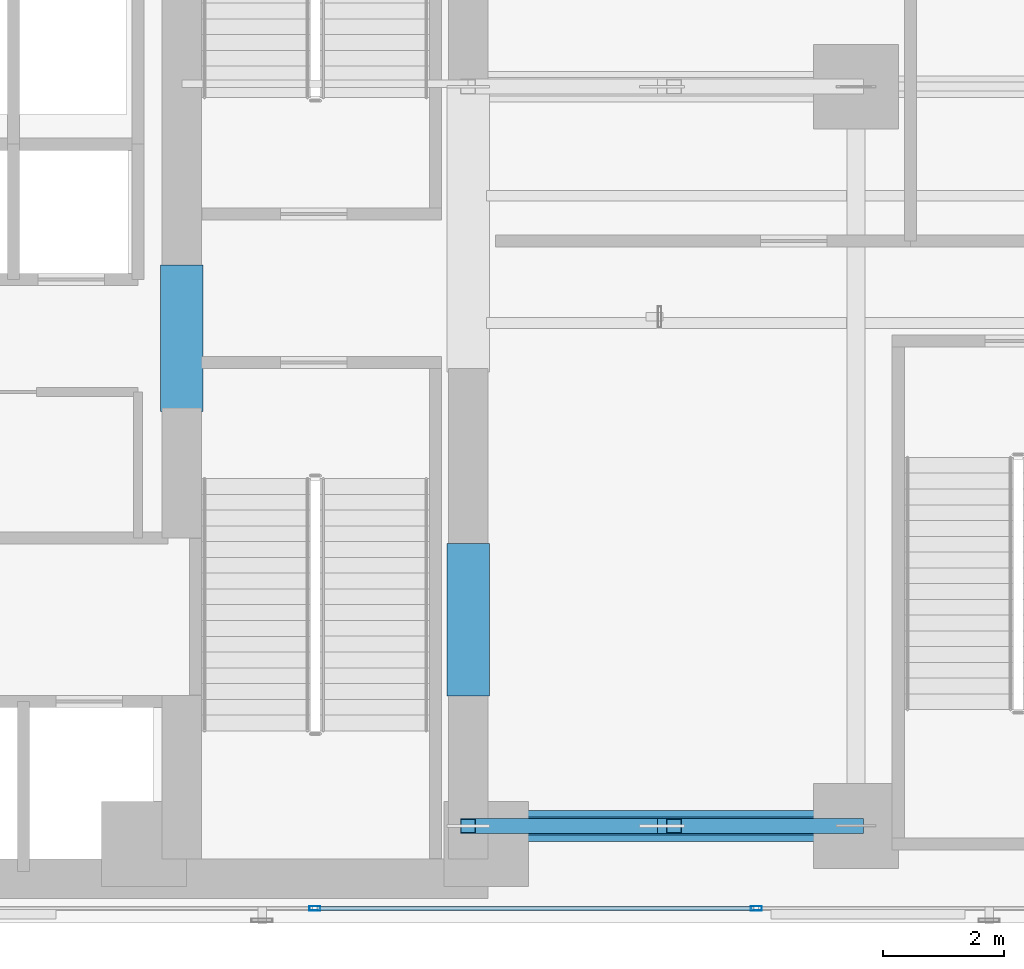
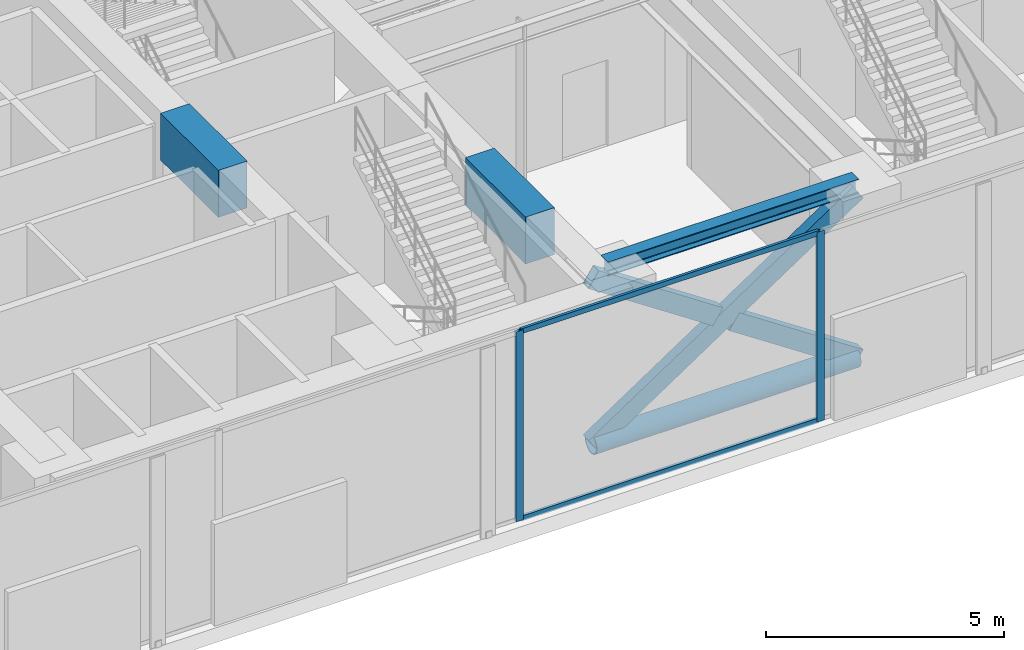
# One storey, part 5 of 37: 8 members, 3 beams, 1 element without a shape of its own.
"""IFC4 building model written with IfcOpenShell, lengths in metres."""

from ifc_helpers import new_model, si_unit, direction, frame, origin, origin_with_axes, origin_2d, place, context, subcontext, project, spatial, rectangle, hollow_rectangle, hollow_circle, i_section, extrude, source, transform, mapped, material, layer, layer_set, material_profile, profile_set, type_object, element, aggregate, save


model = new_model("IFC4")

# Units and contexts
model_context = context("Model", 3, precision=1e-05, world=origin(), true_north=direction((0.0, 1.0)))
body_context = subcontext(model_context, "Body", "Model", "MODEL_VIEW")
ifc_project = project(units=[si_unit("LENGTHUNIT", "METRE"), si_unit("AREAUNIT", "SQUARE_METRE"), si_unit("VOLUMEUNIT", "CUBIC_METRE"), si_unit("PLANEANGLEUNIT", "RADIAN"), si_unit("MASSUNIT", "GRAM", prefix="KILO")], contexts=[model_context])

# Site, building, storey
site_placement = place(None, origin())
site = spatial("IfcSite", under=ifc_project, at=site_placement, CompositionType="ELEMENT")
building_placement = place(site_placement, origin())
building = spatial("IfcBuilding", under=site, at=building_placement, Name="Kolvaren Waterfront Exchange", CompositionType="ELEMENT")
storey_placement = place(building_placement, frame((0.0, 0.0, 141.10009765625)))
storey = spatial("IfcBuildingStorey", under=building, at=storey_placement, Name="L36", CompositionType="ELEMENT", Elevation=141.10009765625)

# Beam
ifc_material_1 = material(Name="Steel S355", Category="steel")
ifc_material_profile_1 = material_profile(ifc_material_1, i_section(OverallWidth=0.300048828125, OverallDepth=0.360107421875, WebThickness=0.012451171875, FlangeThickness=0.0224609375, FilletRadius=0.027099609375, at=origin_2d()), Name="HEB360")
ifc_profile_set_1 = profile_set([ifc_material_profile_1], Name="Steel S355")
beam_type_1 = type_object("IfcBeamType", Name="STR-BM-HEB360", PredefinedType="SPANDREL", material=ifc_profile_set_1)
beam_1_placement = place(storey_placement, frame((21.125, 5.199951171875, 4.679931640625), z_axis=(1.0, 0.0, 0.0), x_axis=(0.0, 1.0, 0.0)))
element("IfcBeam", 1, at=beam_1_placement, inside=storey, type_object=beam_type_1, Name="L36 east-arm spandrel S1", PredefinedType="SPANDREL", context=body_context, shape_type="SweptSolid", body=[
    extrude(i_section(OverallWidth=0.300048828125, OverallDepth=0.360107421875, WebThickness=0.012451171875, FlangeThickness=0.0224609375, FilletRadius=0.027099609375, at=origin_2d()), origin(), (0.0, 0.0, 1.0), 6.074951171875),
])

# Members
ifc_material_2 = material(Name="Steel S460", Category="steel")
ifc_material_profile_2 = material_profile(ifc_material_2, hollow_circle(Radius=0.25390625, WallThickness=0.02001953125, at=origin_2d()), Name="CHS508x20")
ifc_profile_set_2 = profile_set([ifc_material_profile_2], Name="Steel S460")
member_type_1 = type_object("IfcMemberType", Name="STR-BR-CHS508", PredefinedType="CHORD", material=ifc_profile_set_2)
member_1_placement = place(storey_placement, frame((20.800048828125, 5.199951171875, 0.25), z_axis=(1.0, 0.0, 0.0), x_axis=(0.0, 1.0, 0.0)))
element("IfcMember", 2, at=member_1_placement, inside=storey, type_object=member_type_1, Name="L36 outrigger bottom chord OA1", PredefinedType="CHORD", context=body_context, shape_type="SweptSolid", body=[
    extrude(hollow_circle(Radius=0.25390625, WallThickness=0.02001953125, at=origin_2d()), origin(), (0.0, 0.0, 1.0), 6.39990234375),
])
ifc_material_profile_3 = material_profile(ifc_material_2, hollow_rectangle(XDim=0.25, YDim=0.449951171875, WallThickness=0.01611328125, at=origin_2d()), Name="RHS450x250x16")
ifc_profile_set_3 = profile_set([ifc_material_profile_3], Name="Steel S460")
member_type_2 = type_object("IfcMemberType", Name="STR-BR-RHS450", PredefinedType="BRACE", material=ifc_profile_set_3)
member_2_placement = place(storey_placement, frame((20.800048828125, 5.199951171875, 0.25), z_axis=(0.832445808378, 0.0, 0.554106466407), x_axis=(0.0, 1.0, 0.0)))
element("IfcMember", 3, at=member_2_placement, inside=storey, type_object=member_type_2, Name="L36 outrigger diagonal OA1.1", PredefinedType="BRACE", context=body_context, shape_type="SweptSolid", body=[
    extrude(hollow_rectangle(XDim=0.25, YDim=0.449951171875, WallThickness=0.01611328125, at=origin_2d()), origin(), (0.0, 0.0, 1.0), 7.68798828125),
])
member_3_placement = place(storey_placement, frame((27.199951171875, 5.199951171875, 0.25), z_axis=(-0.832477341064, 0.0, 0.554059091266), x_axis=(0.0, -1.0, 0.0)))
element("IfcMember", 4, at=member_3_placement, inside=storey, type_object=member_type_2, Name="L36 outrigger split diagonal OA1.2A", PredefinedType="BRACE", context=body_context, shape_type="SweptSolid", body=[
    extrude(hollow_rectangle(XDim=0.25, YDim=0.449951171875, WallThickness=0.01611328125, at=origin_2d()), origin(), (0.0, 0.0, 1.0), 3.60400390625),
])
member_4_placement = place(storey_placement, frame((23.80029296875, 5.199951171875, 2.512939453125), z_axis=(-0.832446095636, 0.0, 0.554106034853), x_axis=(0.0, -1.0, 0.0)))
element("IfcMember", 5, at=member_4_placement, inside=storey, type_object=member_type_2, Name="L36 outrigger split diagonal OA1.2B", PredefinedType="BRACE", context=body_context, shape_type="SweptSolid", body=[
    extrude(hollow_rectangle(XDim=0.25, YDim=0.449951171875, WallThickness=0.01611328125, at=origin_2d()), origin(), (0.0, 0.0, 1.0), 3.604248046875),
])

# Beams
ifc_material_3 = material(Name="Concrete C70/85", Category="concrete")
ifc_material_profile_4 = material_profile(ifc_material_3, rectangle(XDim=0.699951171875, YDim=1.199951171875, at=origin_2d()), Name="RC-CB-1200x700")
ifc_profile_set_4 = profile_set([ifc_material_profile_4], Name="Concrete C70/85")
beam_type_2 = type_object("IfcBeamType", Name="STR-CB-1200", PredefinedType="SPANDREL", material=ifc_profile_set_4)
beam_2_placement = place(storey_placement, frame((20.800048828125, 7.340087890625, 4.260009765625), z_axis=(0.0, 1.0, 0.0), x_axis=(-1.0, 0.0, 0.0)))
element("IfcBeam", 6, at=beam_2_placement, inside=storey, type_object=beam_type_2, Name="L36 core coupling beam 1", PredefinedType="SPANDREL", context=body_context, shape_type="SweptSolid", body=[
    extrude(rectangle(XDim=0.699951171875, YDim=1.199951171875, at=origin_2d()), origin(), (0.0, 0.0, 1.0), 2.52001953125),
])
beam_3_placement = place(storey_placement, frame((16.074951171875, 12.0400390625, 4.260009765625), z_axis=(0.0, 1.0, 0.0), x_axis=(-1.0, 0.0, 0.0)))
element("IfcBeam", 7, at=beam_3_placement, inside=storey, type_object=beam_type_2, Name="L36 core coupling beam 6", PredefinedType="SPANDREL", context=body_context, shape_type="SweptSolid", body=[
    extrude(rectangle(XDim=0.699951171875, YDim=1.199951171875, at=origin_2d()), origin(), (0.0, 0.0, 1.0), 2.419921875),
])

# Curtain wall, members
ifc_material_4 = material(Name="Anodised dark bronze spandrel aluminium", Category="aluminium")
ifc_layer = layer(ifc_material_4, 0.219970703125, Name="Anodised dark bronze spandrel aluminium")
ifc_layer_set = layer_set([ifc_layer], Name="Anodised dark bronze spandrel aluminium")
curtain_wall_type = type_object("IfcCurtainWallType", Name="ARC-CW-SYS6", PredefinedType="USERDEFINED", material=ifc_layer_set)
curtain_wall_placement = place(storey_placement, origin())
curtain_wall = element("IfcCurtainWall", 8, at=curtain_wall_placement, inside=storey, type_object=curtain_wall_type, Name="L36 stick curtain wall CW6 (CW-L36-S)", ObjectType="STICK CURTAIN WALL", PredefinedType="USERDEFINED")
ifc_material_5 = material(Name="Anodised bronze aluminium 6063-T6", Category="aluminium")
ifc_material_profile_5 = material_profile(ifc_material_5, hollow_rectangle(XDim=0.074951171875, YDim=0.179931640625, WallThickness=0.00439453125, at=origin_2d()), Name="ALU-MUL-180x75x4.5")
ifc_profile_set_5 = profile_set([ifc_material_profile_5], Name="Anodised bronze aluminium 6063-T6")
member_type_3 = type_object("IfcMemberType", Name="ARC-CWM-180", PredefinedType="MULLION", material=ifc_profile_set_5)
shared_shape_1 = source(origin_with_axes(), body_context, "Body", "SweptSolid", [
    extrude(hollow_rectangle(XDim=0.074951171875, YDim=0.179931640625, WallThickness=0.00439453125, at=origin_2d()), origin(), (0.0, 0.0, 1.0), 4.85986328125),
])
member_5_placement = place(storey_placement, frame((18.271484375, 3.840087890625, 0.0), z_axis=(0.0, 0.0, 1.0), x_axis=(0.0, 1.0, 0.0)))
member_5 = element("IfcMember", 9, at=member_5_placement, type_object=member_type_3, Name="CW6 mullion 3", PredefinedType="MULLION", context=body_context, shape_type="MappedRepresentation", body=[
    mapped(shared_shape_1, transform((0.0, 0.0, 0.0), x_axis=(1.0, 0.0, 0.0), y_axis=(0.0, 1.0, 0.0), z_axis=(0.0, 0.0, 1.0), scale=1.0)),
])
member_6_placement = place(storey_placement, frame((25.55712890625, 3.840087890625, 0.0), z_axis=(0.0, 0.0, 1.0), x_axis=(0.0, 1.0, 0.0)))
member_6 = element("IfcMember", 10, at=member_6_placement, type_object=member_type_3, Name="CW6 mullion 4", PredefinedType="MULLION", context=body_context, shape_type="MappedRepresentation", body=[
    mapped(shared_shape_1, transform((0.0, 0.0, 0.0), x_axis=(1.0, 0.0, 0.0), y_axis=(0.0, 1.0, 0.0), z_axis=(0.0, 0.0, 1.0), scale=1.0)),
])
ifc_material_profile_6 = material_profile(ifc_material_5, hollow_rectangle(XDim=0.06494140625, YDim=0.1298828125, WallThickness=0.00390625, at=origin_2d()), Name="ALU-TRN-130x65x4")
ifc_profile_set_6 = profile_set([ifc_material_profile_6], Name="Anodised bronze aluminium 6063-T6")
member_type_4 = type_object("IfcMemberType", Name="ARC-CWT-130", PredefinedType="USERDEFINED", material=ifc_profile_set_6)
shared_shape_2 = source(origin_with_axes(), body_context, "Body", "SweptSolid", [
    extrude(hollow_rectangle(XDim=0.06494140625, YDim=0.1298828125, WallThickness=0.00390625, at=origin_2d()), origin(), (0.0, 0.0, 1.0), 7.210693359375),
])
member_7_placement = place(storey_placement, frame((18.308837890625, 3.840087890625, 0.032470703125), z_axis=(1.0, 0.0, 0.0), x_axis=(0.0, 1.0, 0.0)))
member_7 = element("IfcMember", 11, at=member_7_placement, type_object=member_type_4, Name="CW6 transom 3.1", ObjectType="TRANSOM", PredefinedType="USERDEFINED", context=body_context, shape_type="MappedRepresentation", body=[
    mapped(shared_shape_2, transform((0.0, 0.0, 0.0), x_axis=(1.0, 0.0, 0.0), y_axis=(0.0, 1.0, 0.0), z_axis=(0.0, 0.0, 1.0), scale=1.0)),
])
member_8_placement = place(storey_placement, frame((18.308837890625, 3.840087890625, 4.827392578125), z_axis=(1.0, 0.0, 0.0), x_axis=(0.0, 1.0, 0.0)))
member_8 = element("IfcMember", 12, at=member_8_placement, type_object=member_type_4, Name="CW6 transom 3.2", ObjectType="TRANSOM", PredefinedType="USERDEFINED", context=body_context, shape_type="MappedRepresentation", body=[
    mapped(shared_shape_2, transform((0.0, 0.0, 0.0), x_axis=(1.0, 0.0, 0.0), y_axis=(0.0, 1.0, 0.0), z_axis=(0.0, 0.0, 1.0), scale=1.0)),
])
aggregate(curtain_wall, [member_5, member_6, member_7, member_8])

save(model, "model.ifc")
